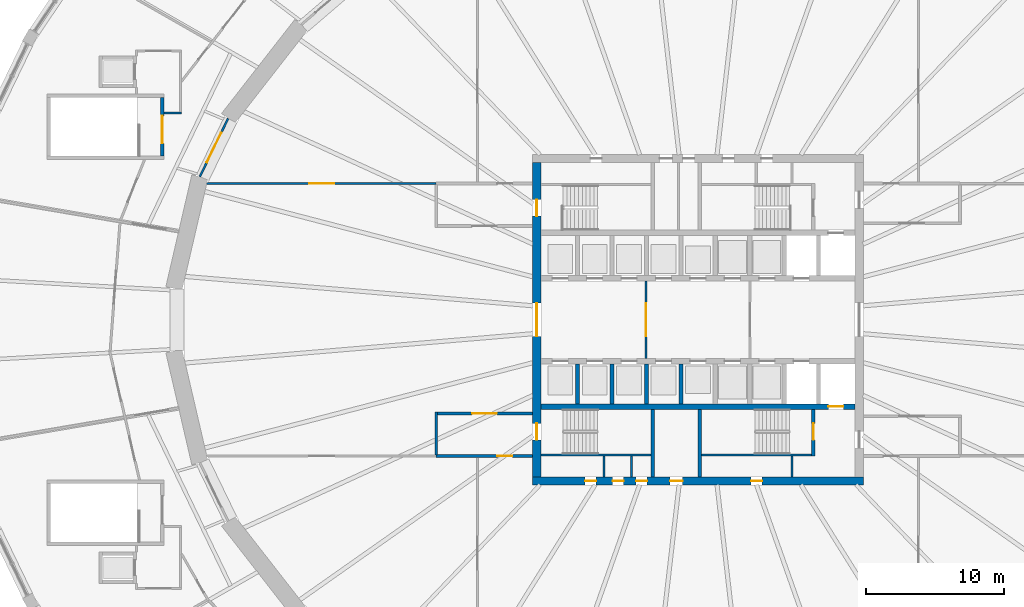
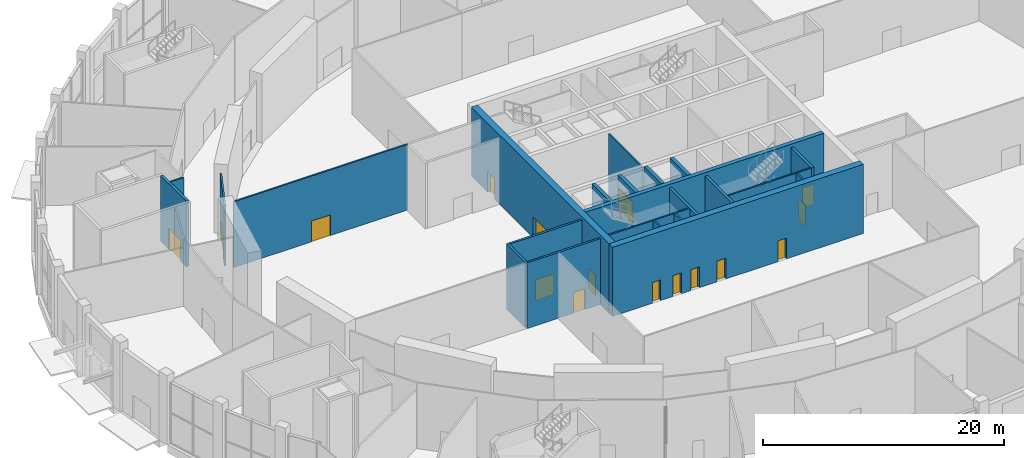
# One storey, part 21 of 33: 23 walls, 16 doors, 16 openings.
"""IFC4 building model written with IfcOpenShell, lengths in metres."""

from ifc_helpers import new_model, si_unit, direction, frame, frame_2d, origin, place, context, subcontext, project, spatial, polyline, rectangle, outline, extrude, material, layer, layer_set, type_object, element, fill, save


model = new_model("IFC4")

# Units and contexts
model_context = context("Model", 3, precision=1e-05, world=origin(), true_north=direction((0.0, 1.0)))
body_context = subcontext(model_context, "Body", "Model", "MODEL_VIEW")
ifc_project = project(units=[si_unit("LENGTHUNIT", "METRE"), si_unit("AREAUNIT", "SQUARE_METRE"), si_unit("VOLUMEUNIT", "CUBIC_METRE"), si_unit("PLANEANGLEUNIT", "RADIAN"), si_unit("MASSUNIT", "GRAM", prefix="KILO")], contexts=[model_context])

# Site, building, storey
site_placement = place(None, origin())
site = spatial("IfcSite", under=ifc_project, at=site_placement, CompositionType="ELEMENT")
building_placement = place(site_placement, origin())
building = spatial("IfcBuilding", under=site, at=building_placement, Name="Halqa Exchange Tower", CompositionType="ELEMENT")
storey_placement = place(building_placement, origin())
storey = spatial("IfcBuildingStorey", under=building, at=storey_placement, Name="L00", CompositionType="ELEMENT", Elevation=0.0)

# Wall
ifc_material_1 = material(Name="Fire-rated gypsum board")
ifc_layer_1 = layer(ifc_material_1, 0.14990234375)
ifc_layer_set_1 = layer_set([ifc_layer_1], Name="Fire-rated gypsum board")
wall_type_1 = type_object("IfcWallType", Name="Fire partition EI 60 150", PredefinedType="PARTITIONING", material=ifc_layer_set_1)
wall_1_placement = place(storey_placement, frame((-37.47509765625, 15.0, 0.0), z_axis=(0.0, 0.0, 1.0), x_axis=(-1.0, 0.0, 0.0)))
element("IfcWall", 1, at=wall_1_placement, inside=storey, type_object=wall_type_1, Name="L00-PWL-017", PredefinedType="PARTITIONING", context=body_context, shape_type="SweptSolid", body=[
    extrude(rectangle(XDim=1.27587890625, YDim=0.14990234375, at=frame_2d((0.637939453125, 0.0))), origin(), (0.0, 0.0, 1.0), 6.64990234375),
])

# Wall, opening, door
wall_2_placement = place(storey_placement, frame((-36.14990234375, 10.3798828125, 0.0), z_axis=(0.0, 0.0, 1.0), x_axis=(0.436936398764, 0.899492403212, 0.0)))
wall_2 = element("IfcWall", 2, at=wall_2_placement, inside=storey, type_object=wall_type_1, Name="L00-PWL-020", PredefinedType="PARTITIONING", context=body_context, shape_type="SweptSolid", body=[
    extrude(outline(polyline([(0.01708984375, -0.074951171875), (4.68212890625, -0.074951171875), (4.7138671875, 0.074951171875), (-0.01708984375, 0.074951171875), (0.01708984375, -0.074951171875)])), origin(), (0.0, 0.0, 1.0), 6.10009765625),
])
opening_1_placement = place(wall_2_placement, frame((1.145751953125, 0.0, 0.0)))
opening_1 = element("IfcOpeningElement", 3, at=opening_1_placement, cuts=wall_2, Name="Opening L00-26", PredefinedType="OPENING", context=body_context, shape_type="SweptSolid", body=[
    extrude(rectangle(XDim=2.39990234375, YDim=2.10009765625, at=frame_2d((1.199951171875, 1.050048828125))), frame((0.0, 0.0869140625, 0.0), z_axis=(0.0, -1.0, 0.0), x_axis=(1.0, 0.0, 0.0)), (0.0, 0.0, 1.0), 0.173828125),
])
ifc_material_2 = material(Name="Steel fire door leaf", Category="steel")
door_type_1 = type_object("IfcDoorType", Name="Fire door FD60S double 2400 x 2100", OperationType="DOUBLE_DOOR_SINGLE_SWING", PredefinedType="DOOR", material=ifc_material_2)
door_1_placement = place(opening_1_placement, frame((2.39990234375, 0.0, 0.0), z_axis=(0.0, 0.0, 1.0), x_axis=(-1.0, 0.0, 0.0)))
door_1 = element("IfcDoor", 4, at=door_1_placement, inside=storey, type_object=door_type_1, Name="L00-IDR-026", OperationType="DOUBLE_DOOR_SINGLE_SWING", OverallHeight=2.10009765625, OverallWidth=2.39990234375, PredefinedType="DOOR", context=body_context, shape_type="SweptSolid", body=[
    extrude(rectangle(XDim=2.39990234375, YDim=2.10009765625, at=frame_2d((1.199951171875, 1.050048828125))), frame((0.0, 0.02490234375, 0.0), z_axis=(0.0, -1.0, 0.0), x_axis=(1.0, 0.0, 0.0)), (0.0, 0.0, 1.0), 0.050048828125),
])
fill(opening_1, door_1)

wall_3_placement = place(storey_placement, frame((-35.64990234375, 9.8798828125, 0.0), z_axis=(0.0, 0.0, 1.0), x_axis=(1.0, 0.0, 0.0)))
wall_3 = element("IfcWall", 5, at=wall_3_placement, inside=storey, type_object=wall_type_1, Name="L00-PWL-021", PredefinedType="PARTITIONING", context=body_context, shape_type="SweptSolid", body=[
    extrude(outline(polyline([(-0.017333984375, -0.074951171875), (16.65087890625, -0.074951171875), (16.65087890625, 0.074951171875), (0.017333984375, 0.074951171875), (-0.017333984375, -0.074951171875)])), origin(), (0.0, 0.0, 1.0), 6.64990234375),
])
opening_2_placement = place(wall_3_placement, frame((7.445068359375, 0.0, 0.0)))
opening_2 = element("IfcOpeningElement", 6, at=opening_2_placement, cuts=wall_3, Name="Opening L00-07", PredefinedType="OPENING", context=body_context, shape_type="SweptSolid", body=[
    extrude(rectangle(XDim=1.800048828125, YDim=2.10009765625, at=frame_2d((0.89990234375, 1.050048828125))), frame((0.0, 0.0869140625, 0.0), z_axis=(0.0, -1.0, 0.0), x_axis=(1.0, 0.0, 0.0)), (0.0, 0.0, 1.0), 0.173828125),
])
door_type_2 = type_object("IfcDoorType", Name="Fire door FD30S double 1800 x 2100", OperationType="DOUBLE_DOOR_SINGLE_SWING", PredefinedType="DOOR", material=ifc_material_2)
door_2_placement = place(opening_2_placement, origin())
door_2 = element("IfcDoor", 7, at=door_2_placement, inside=storey, type_object=door_type_2, Name="L00-IDR-007", OperationType="DOUBLE_DOOR_SINGLE_SWING", OverallHeight=2.10009765625, OverallWidth=1.800048828125, PredefinedType="DOOR", context=body_context, shape_type="SweptSolid", body=[
    extrude(rectangle(XDim=1.800048828125, YDim=2.10009765625, at=frame_2d((0.89990234375, 1.050048828125))), frame((0.0, 0.02490234375, 0.0), z_axis=(0.0, -1.0, 0.0), x_axis=(1.0, 0.0, 0.0)), (0.0, 0.0, 1.0), 0.050048828125),
])
fill(opening_2, door_2)

# Wall
ifc_material_3 = material(Name="Concrete C30/37", Category="concrete")
ifc_layer_2 = layer(ifc_material_3, 0.199951171875)
ifc_layer_set_2 = layer_set([ifc_layer_2], Name="Concrete C30/37")
wall_type_2 = type_object("IfcWallType", Name="Fire wall EI 120 200", PredefinedType="PARTITIONING", material=ifc_layer_set_2)
wall_4_placement = place(storey_placement, frame((-19.0, -9.805419921875, 0.0), z_axis=(0.0, 0.0, 1.0), x_axis=(0.0, 1.0, 0.0)))
element("IfcWall", 8, at=wall_4_placement, inside=storey, type_object=wall_type_2, Name="L00-PWL-033", PredefinedType="PARTITIONING", context=body_context, shape_type="SweptSolid", body=[
    extrude(rectangle(XDim=3.10546875, YDim=0.199951171875, at=frame_2d((1.552734375, 0.0))), origin(), (0.0, 0.0, 1.0), 6.64990234375),
])

# Wall, opening, door
wall_5_placement = place(storey_placement, frame((-19.0, -9.8798828125, 0.0), z_axis=(0.0, 0.0, 1.0), x_axis=(1.0, 0.0, 0.0)))
wall_5 = element("IfcWall", 9, at=wall_5_placement, inside=storey, type_object=wall_type_2, Name="L00-PWL-034", PredefinedType="PARTITIONING", context=body_context, shape_type="SweptSolid", body=[
    extrude(rectangle(XDim=7.0009765625, YDim=0.199951171875, at=frame_2d((3.50048828125, 0.0))), origin(), (0.0, 0.0, 1.0), 6.64990234375),
])
opening_3_placement = place(wall_5_placement, frame((4.43505859375, 0.0, 0.0)))
opening_3 = element("IfcOpeningElement", 10, at=opening_3_placement, cuts=wall_5, Name="Opening L00-19", PredefinedType="OPENING", context=body_context, shape_type="SweptSolid", body=[
    extrude(rectangle(XDim=1.10009765625, YDim=2.10009765625, at=frame_2d((0.550048828125, 1.050048828125))), frame((0.0, 0.112060546875, 0.0), z_axis=(0.0, -1.0, 0.0), x_axis=(1.0, 0.0, 0.0)), (0.0, 0.0, 1.0), 0.223876953125),
])
door_type_3 = type_object("IfcDoorType", Name="Fire door FD120S 1100 x 2100", OperationType="SINGLE_SWING_LEFT", PredefinedType="DOOR", material=ifc_material_2)
door_3_placement = place(opening_3_placement, origin())
door_3 = element("IfcDoor", 11, at=door_3_placement, inside=storey, type_object=door_type_3, Name="L00-IDR-019", OperationType="SINGLE_SWING_LEFT", OverallHeight=2.10009765625, OverallWidth=1.10009765625, PredefinedType="DOOR", context=body_context, shape_type="SweptSolid", body=[
    extrude(rectangle(XDim=1.10009765625, YDim=2.10009765625, at=frame_2d((0.550048828125, 1.050048828125))), frame((0.0, 0.02490234375, 0.0), z_axis=(0.0, -1.0, 0.0), x_axis=(1.0, 0.0, 0.0)), (0.0, 0.0, 1.0), 0.050048828125),
])
fill(opening_3, door_3)

wall_6_placement = place(storey_placement, frame((-18.90087890625, -6.800048828125, 0.0), z_axis=(0.0, 0.0, 1.0), x_axis=(1.0, 0.0, 0.0)))
wall_6 = element("IfcWall", 12, at=wall_6_placement, inside=storey, type_object=wall_type_2, Name="L00-PWL-035", PredefinedType="PARTITIONING", context=body_context, shape_type="SweptSolid", body=[
    extrude(rectangle(XDim=6.90185546875, YDim=0.199951171875, at=frame_2d((3.450927734375, 0.0))), origin(), (0.0, 0.0, 1.0), 6.64990234375),
])
opening_4_placement = place(wall_6_placement, frame((2.5009765625, 0.0, 0.0)))
opening_4 = element("IfcOpeningElement", 13, at=opening_4_placement, cuts=wall_6, Name="Opening L00-02", PredefinedType="OPENING", context=body_context, shape_type="SweptSolid", body=[
    extrude(rectangle(XDim=1.800048828125, YDim=2.10009765625, at=frame_2d((0.89990234375, 1.050048828125))), frame((0.0, 0.112060546875, 0.0), z_axis=(0.0, -1.0, 0.0), x_axis=(1.0, 0.0, 0.0)), (0.0, 0.0, 1.0), 0.223876953125),
])
door_type_4 = type_object("IfcDoorType", Name="Fire door FD120S double 1800 x 2100", OperationType="DOUBLE_DOOR_SINGLE_SWING", PredefinedType="DOOR", material=ifc_material_2)
door_4_placement = place(opening_4_placement, frame((1.800048828125, 0.0, 0.0), z_axis=(0.0, 0.0, 1.0), x_axis=(-1.0, 0.0, 0.0)))
door_4 = element("IfcDoor", 14, at=door_4_placement, inside=storey, type_object=door_type_4, Name="L00-IDR-002", OperationType="DOUBLE_DOOR_SINGLE_SWING", OverallHeight=2.10009765625, OverallWidth=1.800048828125, PredefinedType="DOOR", context=body_context, shape_type="SweptSolid", body=[
    extrude(rectangle(XDim=1.800048828125, YDim=2.10009765625, at=frame_2d((0.89990234375, 1.050048828125))), frame((0.0, 0.02490234375, 0.0), z_axis=(0.0, -1.0, 0.0), x_axis=(1.0, 0.0, 0.0)), (0.0, 0.0, 1.0), 0.050048828125),
])
fill(opening_4, door_4)

# Walls
ifc_material_4 = material(Name="Gypsum board")
ifc_layer_3 = layer(ifc_material_4, 0.14990234375)
ifc_layer_set_3 = layer_set([ifc_layer_3], Name="Gypsum board")
wall_type_3 = type_object("IfcWallType", Name="Penthouse riser wall 150 gypsum", PredefinedType="PARTITIONING", material=ifc_layer_set_3)
for number, where, z_axis, x_axis, name in (
    (15, (-6.824951171875, -11.39990234375, 0.0), (0.0, 0.0, 1.0), (0.0, 1.0, 0.0), "Partition W6.825 S"),
    (16, (-4.824951171875, -11.39990234375, 0.0), (0.0, 0.0, 1.0), (0.0, 1.0, 0.0), "Partition W4.825 S"),
    (17, (6.824951171875, -11.39990234375, 0.0), (0.0, 0.0, 1.0), (0.0, 1.0, 0.0), "Firefighting lobby west wall S"),
):
    element("IfcWall", number, at=place(storey_placement, frame(where, z_axis=z_axis, x_axis=x_axis)), inside=storey, type_object=wall_type_3, Name=name, PredefinedType="PARTITIONING", context=body_context, shape_type="SweptSolid", body=[
        extrude(rectangle(XDim=1.5, YDim=0.14990234375, at=frame_2d((0.75, 0.0))), origin(), (0.0, 0.0, 1.0), 6.64990234375),
    ])

# Wall, opening, door
wall_7_placement = place(storey_placement, frame((-3.77490234375, -2.800048828125, 0.0), z_axis=(0.0, 0.0, 1.0), x_axis=(0.0, 1.0, 0.0)))
wall_7 = element("IfcWall", 18, at=wall_7_placement, inside=storey, type_object=wall_type_3, Name="Observation lobby partition west", PredefinedType="PARTITIONING", context=body_context, shape_type="SweptSolid", body=[
    extrude(rectangle(XDim=5.60009765625, YDim=0.14990234375, at=frame_2d((2.800048828125, 0.0))), origin(), (0.0, 0.0, 1.0), 6.64990234375),
])
opening_5_placement = place(wall_7_placement, frame((1.60009765625, 0.0, 0.0)))
opening_5 = element("IfcOpeningElement", 19, at=opening_5_placement, cuts=wall_7, Name="Opening L00-C25", PredefinedType="OPENING", context=body_context, shape_type="SweptSolid", body=[
    extrude(rectangle(XDim=2.39990234375, YDim=2.10009765625, at=frame_2d((1.199951171875, 1.050048828125))), frame((0.0, 0.0869140625, 0.0), z_axis=(0.0, -1.0, 0.0), x_axis=(1.0, 0.0, 0.0)), (0.0, 0.0, 1.0), 0.173828125),
])
door_type_5 = type_object("IfcDoorType", Name="Lobby double door FD60 2400 x 2100", OperationType="DOUBLE_DOOR_SINGLE_SWING", PredefinedType="DOOR", material=ifc_material_2)
door_5_placement = place(opening_5_placement, frame((2.39990234375, 0.0, 0.0), z_axis=(0.0, 0.0, 1.0), x_axis=(-1.0, 0.0, 0.0)))
door_5 = element("IfcDoor", 20, at=door_5_placement, inside=storey, type_object=door_type_5, Name="Lift lobby double door", OperationType="DOUBLE_DOOR_SINGLE_SWING", OverallHeight=2.10009765625, OverallWidth=2.39990234375, PredefinedType="DOOR", context=body_context, shape_type="SweptSolid", body=[
    extrude(rectangle(XDim=2.39990234375, YDim=2.10009765625, at=frame_2d((1.199951171875, 1.050048828125))), frame((0.0, 0.02490234375, 0.0), z_axis=(0.0, -1.0, 0.0), x_axis=(1.0, 0.0, 0.0)), (0.0, 0.0, 1.0), 0.050048828125),
])
fill(opening_5, door_5)

# Walls
ifc_material_5 = material(Name="Concrete C60/75", Category="concrete")
ifc_layer_4 = layer(ifc_material_5, 0.300048828125)
ifc_layer_set_4 = layer_set([ifc_layer_4], Name="Concrete C60/75")
wall_type_4 = type_object("IfcWallType", Name="RC core wall 300", PredefinedType="SHEAR", material=ifc_layer_set_4)
for number, where, z_axis, x_axis, name in (
    (21, (-8.75, -6.10009765625, 0.0), (0.0, 0.0, 1.0), (0.0, 1.0, 0.0), "Shaft divider S1"),
    (22, (-6.25, -6.10009765625, 0.0), (0.0, 0.0, 1.0), (0.0, 1.0, 0.0), "Shaft divider S2"),
    (23, (-3.75, -6.10009765625, 0.0), (0.0, 0.0, 1.0), (0.0, 1.0, 0.0), "Shaft divider S3"),
    (24, (-1.25, -6.10009765625, 0.0), (0.0, 0.0, 1.0), (0.0, 1.0, 0.0), "Shaft divider S4"),
):
    element("IfcWall", number, at=place(storey_placement, frame(where, z_axis=z_axis, x_axis=x_axis)), inside=storey, type_object=wall_type_4, Name=name, PredefinedType="SHEAR", context=body_context, shape_type="SweptSolid", body=[
        extrude(rectangle(XDim=2.900146484375, YDim=0.300048828125, at=frame_2d((1.4501953125, 0.0))), origin(), (0.0, 0.0, 1.0), 7.0),
    ])

# Wall, opening, door
ifc_material_6 = material(Name="Concrete C80/95", Category="concrete")
ifc_layer_5 = layer(ifc_material_6, 0.39990234375)
ifc_layer_set_5 = layer_set([ifc_layer_5], Name="Concrete C80/95")
wall_type_5 = type_object("IfcWallType", Name="RC core wall 400 C80/95", PredefinedType="SHEAR", material=ifc_layer_set_5)
wall_8_placement = place(storey_placement, frame((-11.39990234375, -6.300048828125, 0.0), z_axis=(0.0, 0.0, 1.0), x_axis=(1.0, 0.0, 0.0)))
wall_8 = element("IfcWall", 25, at=wall_8_placement, inside=storey, type_object=wall_type_5, Name="Lift row back wall S", PredefinedType="SHEAR", context=body_context, shape_type="SweptSolid", body=[
    extrude(rectangle(XDim=22.7998046875, YDim=0.39990234375, at=frame_2d((11.39990234375, 0.0))), origin(), (0.0, 0.0, 1.0), 7.0),
])
opening_6_placement = place(wall_8_placement, frame((20.85009765625, 0.0, 0.0)))
opening_6 = element("IfcOpeningElement", 26, at=opening_6_placement, cuts=wall_8, Name="Opening LD-FF2-L00", PredefinedType="OPENING", context=body_context, shape_type="SweptSolid", body=[
    extrude(rectangle(XDim=1.10009765625, YDim=2.10009765625, at=frame_2d((0.550048828125, 1.050048828125))), frame((0.0, 0.2119140625, 0.0), z_axis=(0.0, -1.0, 0.0), x_axis=(1.0, 0.0, 0.0)), (0.0, 0.0, 1.0), 0.423828125),
])
ifc_material_7 = material(Name="Stainless steel", Category="steel")
door_type_6 = type_object("IfcDoorType", Name="Lift landing door 1100 x 2100", OperationType="SLIDING_TO_LEFT", PredefinedType="DOOR", material=ifc_material_7)
door_6_placement = place(opening_6_placement, origin())
door_6 = element("IfcDoor", 27, at=door_6_placement, inside=storey, type_object=door_type_6, Name="Lift landing door FF2", OperationType="SLIDING_TO_LEFT", OverallHeight=2.10009765625, OverallWidth=1.10009765625, PredefinedType="DOOR", context=body_context, shape_type="SweptSolid", body=[
    extrude(rectangle(XDim=1.10009765625, YDim=2.10009765625, at=frame_2d((0.550048828125, 1.050048828125))), frame((0.0, 0.02490234375, 0.0), z_axis=(0.0, -1.0, 0.0), x_axis=(1.0, 0.0, 0.0)), (0.0, 0.0, 1.0), 0.050048828125),
])
fill(opening_6, door_6)

# Wall, openings, doors
ifc_layer_6 = layer(ifc_material_6, 0.60009765625)
ifc_layer_set_6 = layer_set([ifc_layer_6], Name="Concrete C80/95")
wall_type_6 = type_object("IfcWallType", Name="RC core wall 600 C80/95", PredefinedType="SHEAR", material=ifc_layer_set_6)
wall_9_placement = place(storey_placement, frame((-12.0, -11.699951171875, 0.0), z_axis=(0.0, 0.0, 1.0), x_axis=(1.0, 0.0, 0.0)))
wall_9 = element("IfcWall", 28, at=wall_9_placement, inside=storey, type_object=wall_type_6, Name="Core wall south", PredefinedType="SHEAR", context=body_context, shape_type="SweptSolid", body=[
    extrude(rectangle(XDim=24.0, YDim=0.60009765625, at=frame_2d((12.0, 0.0))), origin(), (0.0, 0.0, 1.0), 7.0),
])
opening_7_placement = place(wall_9_placement, frame((9.97509765625, 0.0, 0.0)))
opening_7 = element("IfcOpeningElement", 29, at=opening_7_placement, cuts=wall_9, Name="Opening L00-C46", PredefinedType="OPENING", context=body_context, shape_type="SweptSolid", body=[
    extrude(rectangle(XDim=0.89990234375, YDim=2.10009765625, at=frame_2d((0.449951171875, 1.050048828125))), frame((0.0, 0.31201171875, 0.0), z_axis=(0.0, -1.0, 0.0), x_axis=(1.0, 0.0, 0.0)), (0.0, 0.0, 1.0), 0.6240234375),
])
opening_8_placement = place(wall_9_placement, frame((3.800048828125, 0.0, 0.0)))
opening_8 = element("IfcOpeningElement", 30, at=opening_8_placement, cuts=wall_9, Name="Opening L00-C47", PredefinedType="OPENING", context=body_context, shape_type="SweptSolid", body=[
    extrude(rectangle(XDim=0.800048828125, YDim=2.10009765625, at=frame_2d((0.39990234375, 1.050048828125))), frame((0.0, 0.31201171875, 0.0), z_axis=(0.0, -1.0, 0.0), x_axis=(1.0, 0.0, 0.0)), (0.0, 0.0, 1.0), 0.6240234375),
])
opening_9_placement = place(wall_9_placement, frame((5.800048828125, 0.0, 0.0)))
opening_9 = element("IfcOpeningElement", 31, at=opening_9_placement, cuts=wall_9, Name="Opening L00-C48", PredefinedType="OPENING", context=body_context, shape_type="SweptSolid", body=[
    extrude(rectangle(XDim=0.800048828125, YDim=2.10009765625, at=frame_2d((0.39990234375, 1.050048828125))), frame((0.0, 0.31201171875, 0.0), z_axis=(0.0, -1.0, 0.0), x_axis=(1.0, 0.0, 0.0)), (0.0, 0.0, 1.0), 0.6240234375),
])
opening_10_placement = place(wall_9_placement, frame((7.5, 0.0, 0.0)))
opening_10 = element("IfcOpeningElement", 32, at=opening_10_placement, cuts=wall_9, Name="Opening L00-C49", PredefinedType="OPENING", context=body_context, shape_type="SweptSolid", body=[
    extrude(rectangle(XDim=0.800048828125, YDim=2.10009765625, at=frame_2d((0.39990234375, 1.050048828125))), frame((0.0, 0.31201171875, 0.0), z_axis=(0.0, -1.0, 0.0), x_axis=(1.0, 0.0, 0.0)), (0.0, 0.0, 1.0), 0.6240234375),
])
opening_11_placement = place(wall_9_placement, frame((15.85009765625, 0.0, 0.0)))
opening_11 = element("IfcOpeningElement", 33, at=opening_11_placement, cuts=wall_9, Name="Opening L00-C50", PredefinedType="OPENING", context=body_context, shape_type="SweptSolid", body=[
    extrude(rectangle(XDim=0.800048828125, YDim=2.10009765625, at=frame_2d((0.39990234375, 1.050048828125))), frame((0.0, 0.31201171875, 0.0), z_axis=(0.0, -1.0, 0.0), x_axis=(1.0, 0.0, 0.0)), (0.0, 0.0, 1.0), 0.6240234375),
])
ifc_material_8 = material(Name="Timber fire door leaf", Category="wood")
door_type_7 = type_object("IfcDoorType", Name="Core room door FD30 900 x 2100", OperationType="SINGLE_SWING_LEFT", PredefinedType="DOOR", material=ifc_material_8)
door_7_placement = place(opening_7_placement, origin())
door_7 = element("IfcDoor", 34, at=door_7_placement, inside=storey, type_object=door_type_7, Name="Core room door", OperationType="SINGLE_SWING_RIGHT", OverallHeight=2.10009765625, OverallWidth=0.89990234375, PredefinedType="DOOR", context=body_context, shape_type="SweptSolid", body=[
    extrude(rectangle(XDim=0.89990234375, YDim=2.10009765625, at=frame_2d((0.449951171875, 1.050048828125))), frame((0.0, 0.02490234375, 0.0), z_axis=(0.0, -1.0, 0.0), x_axis=(1.0, 0.0, 0.0)), (0.0, 0.0, 1.0), 0.050048828125),
])
fill(opening_7, door_7)
door_type_8 = type_object("IfcDoorType", Name="Riser door FD60 800 x 2100", OperationType="SINGLE_SWING_LEFT", PredefinedType="DOOR", material=ifc_material_2)
door_8_placement = place(opening_8_placement, origin())
door_8 = element("IfcDoor", 35, at=door_8_placement, inside=storey, type_object=door_type_8, Name="Core room door", OperationType="SINGLE_SWING_LEFT", OverallHeight=2.10009765625, OverallWidth=0.800048828125, PredefinedType="DOOR", context=body_context, shape_type="SweptSolid", body=[
    extrude(rectangle(XDim=0.800048828125, YDim=2.10009765625, at=frame_2d((0.39990234375, 1.050048828125))), frame((0.0, 0.02490234375, 0.0), z_axis=(0.0, -1.0, 0.0), x_axis=(1.0, 0.0, 0.0)), (0.0, 0.0, 1.0), 0.050048828125),
])
fill(opening_8, door_8)
door_9_placement = place(opening_9_placement, origin())
door_9 = element("IfcDoor", 36, at=door_9_placement, inside=storey, type_object=door_type_8, Name="Core room door", OperationType="SINGLE_SWING_LEFT", OverallHeight=2.10009765625, OverallWidth=0.800048828125, PredefinedType="DOOR", context=body_context, shape_type="SweptSolid", body=[
    extrude(rectangle(XDim=0.800048828125, YDim=2.10009765625, at=frame_2d((0.39990234375, 1.050048828125))), frame((0.0, 0.02490234375, 0.0), z_axis=(0.0, -1.0, 0.0), x_axis=(1.0, 0.0, 0.0)), (0.0, 0.0, 1.0), 0.050048828125),
])
fill(opening_9, door_9)
door_10_placement = place(opening_10_placement, origin())
door_10 = element("IfcDoor", 37, at=door_10_placement, inside=storey, type_object=door_type_8, Name="Core room door", OperationType="SINGLE_SWING_LEFT", OverallHeight=2.10009765625, OverallWidth=0.800048828125, PredefinedType="DOOR", context=body_context, shape_type="SweptSolid", body=[
    extrude(rectangle(XDim=0.800048828125, YDim=2.10009765625, at=frame_2d((0.39990234375, 1.050048828125))), frame((0.0, 0.02490234375, 0.0), z_axis=(0.0, -1.0, 0.0), x_axis=(1.0, 0.0, 0.0)), (0.0, 0.0, 1.0), 0.050048828125),
])
fill(opening_10, door_10)
door_11_placement = place(opening_11_placement, origin())
door_11 = element("IfcDoor", 38, at=door_11_placement, inside=storey, type_object=door_type_8, Name="Core room door", OperationType="SINGLE_SWING_LEFT", OverallHeight=2.10009765625, OverallWidth=0.800048828125, PredefinedType="DOOR", context=body_context, shape_type="SweptSolid", body=[
    extrude(rectangle(XDim=0.800048828125, YDim=2.10009765625, at=frame_2d((0.39990234375, 1.050048828125))), frame((0.0, 0.02490234375, 0.0), z_axis=(0.0, -1.0, 0.0), x_axis=(1.0, 0.0, 0.0)), (0.0, 0.0, 1.0), 0.050048828125),
])
fill(opening_11, door_11)

wall_10_placement = place(storey_placement, frame((-11.699951171875, -11.39990234375, 0.0), z_axis=(0.0, 0.0, 1.0), x_axis=(0.0, 1.0, 0.0)))
wall_10 = element("IfcWall", 39, at=wall_10_placement, inside=storey, type_object=wall_type_6, Name="Core wall west", PredefinedType="SHEAR", context=body_context, shape_type="SweptSolid", body=[
    extrude(rectangle(XDim=22.7998046875, YDim=0.60009765625, at=frame_2d((11.39990234375, 0.0))), origin(), (0.0, 0.0, 1.0), 7.0),
])
opening_12_placement = place(wall_10_placement, frame((10.199951171875, 0.0, 0.0)))
opening_12 = element("IfcOpeningElement", 40, at=opening_12_placement, cuts=wall_10, Name="Opening L00-C19", PredefinedType="OPENING", context=body_context, shape_type="SweptSolid", body=[
    extrude(rectangle(XDim=2.39990234375, YDim=2.10009765625, at=frame_2d((1.199951171875, 1.050048828125))), frame((0.0, 0.31201171875, 0.0), z_axis=(0.0, -1.0, 0.0), x_axis=(1.0, 0.0, 0.0)), (0.0, 0.0, 1.0), 0.6240234375),
])
opening_13_placement = place(wall_10_placement, frame((18.925048828125, 0.0, 0.0)))
opening_13 = element("IfcOpeningElement", 41, at=opening_13_placement, cuts=wall_10, Name="Opening L00-C35", PredefinedType="OPENING", context=body_context, shape_type="SweptSolid", body=[
    extrude(rectangle(XDim=1.199951171875, YDim=2.10009765625, at=frame_2d((0.60009765625, 1.050048828125))), frame((0.0, 0.31201171875, 0.0), z_axis=(0.0, -1.0, 0.0), x_axis=(1.0, 0.0, 0.0)), (0.0, 0.0, 1.0), 0.6240234375),
])
opening_14_placement = place(wall_10_placement, frame((2.675048828125, 0.0, 0.0)))
opening_14 = element("IfcOpeningElement", 42, at=opening_14_placement, cuts=wall_10, Name="Opening L00-C37", PredefinedType="OPENING", context=body_context, shape_type="SweptSolid", body=[
    extrude(rectangle(XDim=1.199951171875, YDim=2.10009765625, at=frame_2d((0.60009765625, 1.050048828125))), frame((0.0, 0.31201171875, 0.0), z_axis=(0.0, -1.0, 0.0), x_axis=(1.0, 0.0, 0.0)), (0.0, 0.0, 1.0), 0.6240234375),
])
door_12_placement = place(opening_12_placement, frame((2.39990234375, 0.0, 0.0), z_axis=(0.0, 0.0, 1.0), x_axis=(-1.0, 0.0, 0.0)))
door_12 = element("IfcDoor", 43, at=door_12_placement, inside=storey, type_object=door_type_5, Name="Lift lobby double door", OperationType="DOUBLE_DOOR_SINGLE_SWING", OverallHeight=2.10009765625, OverallWidth=2.39990234375, PredefinedType="DOOR", context=body_context, shape_type="SweptSolid", body=[
    extrude(rectangle(XDim=2.39990234375, YDim=2.10009765625, at=frame_2d((1.199951171875, 1.050048828125))), frame((0.0, 0.02490234375, 0.0), z_axis=(0.0, -1.0, 0.0), x_axis=(1.0, 0.0, 0.0)), (0.0, 0.0, 1.0), 0.050048828125),
])
fill(opening_12, door_12)
door_type_9 = type_object("IfcDoorType", Name="Stair door FD90 1200 x 2100", OperationType="SINGLE_SWING_LEFT", PredefinedType="DOOR", material=ifc_material_2)
door_13_placement = place(opening_13_placement, frame((1.199951171875, 0.0, 0.0), z_axis=(0.0, 0.0, 1.0), x_axis=(-1.0, 0.0, 0.0)))
door_13 = element("IfcDoor", 44, at=door_13_placement, inside=storey, type_object=door_type_9, Name="Stair door ST1", OperationType="SINGLE_SWING_RIGHT", OverallHeight=2.10009765625, OverallWidth=1.199951171875, PredefinedType="DOOR", context=body_context, shape_type="SweptSolid", body=[
    extrude(rectangle(XDim=1.199951171875, YDim=2.10009765625, at=frame_2d((0.60009765625, 1.050048828125))), frame((0.0, 0.02490234375, 0.0), z_axis=(0.0, -1.0, 0.0), x_axis=(1.0, 0.0, 0.0)), (0.0, 0.0, 1.0), 0.050048828125),
])
fill(opening_13, door_13)
door_14_placement = place(opening_14_placement, frame((1.199951171875, 0.0, 0.0), z_axis=(0.0, 0.0, 1.0), x_axis=(-1.0, 0.0, 0.0)))
door_14 = element("IfcDoor", 45, at=door_14_placement, inside=storey, type_object=door_type_9, Name="Stair door ST3", OperationType="SINGLE_SWING_RIGHT", OverallHeight=2.10009765625, OverallWidth=1.199951171875, PredefinedType="DOOR", context=body_context, shape_type="SweptSolid", body=[
    extrude(rectangle(XDim=1.199951171875, YDim=2.10009765625, at=frame_2d((0.60009765625, 1.050048828125))), frame((0.0, 0.02490234375, 0.0), z_axis=(0.0, -1.0, 0.0), x_axis=(1.0, 0.0, 0.0)), (0.0, 0.0, 1.0), 0.050048828125),
])
fill(opening_14, door_14)

# Walls
ifc_layer_7 = layer(ifc_material_3, 0.14990234375)
ifc_layer_set_7 = layer_set([ifc_layer_7], Name="Concrete C30/37")
wall_type_7 = type_object("IfcWallType", Name="RC stair wall 150 C30/37", PredefinedType="SHEAR", material=ifc_layer_set_7)
for number, where, z_axis, x_axis, name in (
    (46, (-11.39990234375, -9.824951171875, 0.0), (0.0, 0.0, 1.0), (1.0, 0.0, 0.0), "Stair ST1 north wall S"),
    (47, (0.25, -9.824951171875, 0.0), (0.0, 0.0, 1.0), (1.0, 0.0, 0.0), "Stair ST2 north wall S"),
):
    element("IfcWall", number, at=place(storey_placement, frame(where, z_axis=z_axis, x_axis=x_axis)), inside=storey, type_object=wall_type_7, Name=name, PredefinedType="SHEAR", context=body_context, shape_type="SweptSolid", body=[
        extrude(rectangle(XDim=8.0, YDim=0.14990234375, at=frame_2d((4.0, 0.0))), origin(), (0.0, 0.0, 1.0), 6.64990234375),
    ])
ifc_layer_8 = layer(ifc_material_3, 0.25)
ifc_layer_set_8 = layer_set([ifc_layer_8], Name="Concrete C30/37")
wall_type_8 = type_object("IfcWallType", Name="RC stair wall 250 C30/37", PredefinedType="SHEAR", material=ifc_layer_set_8)
for number, where, z_axis, x_axis, name in (
    (48, (-3.27490234375, -11.39990234375, 0.0), (0.0, 0.0, 1.0), (0.0, 1.0, 0.0), "Stair ST1 east wall S"),
    (49, (0.125, -11.39990234375, 0.0), (0.0, 0.0, 1.0), (0.0, 1.0, 0.0), "Stair ST2 west wall S"),
):
    element("IfcWall", number, at=place(storey_placement, frame(where, z_axis=z_axis, x_axis=x_axis)), inside=storey, type_object=wall_type_8, Name=name, PredefinedType="SHEAR", context=body_context, shape_type="SweptSolid", body=[
        extrude(rectangle(XDim=4.89990234375, YDim=0.25, at=frame_2d((2.449951171875, 0.0))), origin(), (0.0, 0.0, 1.0), 6.64990234375),
    ])

# Wall, opening, door
wall_11_placement = place(storey_placement, frame((8.375, -9.89990234375, 0.0), z_axis=(0.0, 0.0, 1.0), x_axis=(0.0, 1.0, 0.0)))
wall_11 = element("IfcWall", 50, at=wall_11_placement, inside=storey, type_object=wall_type_8, Name="Stair ST2 east wall S", PredefinedType="SHEAR", context=body_context, shape_type="SweptSolid", body=[
    extrude(rectangle(XDim=3.39990234375, YDim=0.25, at=frame_2d((1.699951171875, 0.0))), origin(), (0.0, 0.0, 1.0), 6.64990234375),
])
opening_15_placement = place(wall_11_placement, frame((1.175048828125, 0.0, 0.0)))
opening_15 = element("IfcOpeningElement", 51, at=opening_15_placement, cuts=wall_11, Name="Opening L00-C38", PredefinedType="OPENING", context=body_context, shape_type="SweptSolid", body=[
    extrude(rectangle(XDim=1.199951171875, YDim=2.10009765625, at=frame_2d((0.60009765625, 1.050048828125))), frame((0.0, 0.136962890625, 0.0), z_axis=(0.0, -1.0, 0.0), x_axis=(1.0, 0.0, 0.0)), (0.0, 0.0, 1.0), 0.27392578125),
])
door_15_placement = place(opening_15_placement, origin())
door_15 = element("IfcDoor", 52, at=door_15_placement, inside=storey, type_object=door_type_9, Name="Stair door ST4", OperationType="SINGLE_SWING_RIGHT", OverallHeight=2.10009765625, OverallWidth=1.199951171875, PredefinedType="DOOR", context=body_context, shape_type="SweptSolid", body=[
    extrude(rectangle(XDim=1.199951171875, YDim=2.10009765625, at=frame_2d((0.60009765625, 1.050048828125))), frame((0.0, 0.02490234375, 0.0), z_axis=(0.0, -1.0, 0.0), x_axis=(1.0, 0.0, 0.0)), (0.0, 0.0, 1.0), 0.050048828125),
])
fill(opening_15, door_15)

wall_12_placement = place(storey_placement, frame((-38.875, 11.875, 0.0), z_axis=(0.0, 0.0, 1.0), x_axis=(0.0, 1.0, 0.0)))
wall_12 = element("IfcWall", 53, at=wall_12_placement, inside=storey, type_object=wall_type_8, Name="Stair SS3 wall east", PredefinedType="SHEAR", context=body_context, shape_type="SweptSolid", body=[
    extrude(rectangle(XDim=4.25, YDim=0.25, at=frame_2d((2.125, 0.0))), origin(), (0.0, 0.0, 1.0), 6.64990234375),
])
opening_16_placement = place(wall_12_placement, frame((0.925048828125, 0.0, 0.0)))
opening_16 = element("IfcOpeningElement", 54, at=opening_16_placement, cuts=wall_12, Name="Opening L00-C29", PredefinedType="OPENING", context=body_context, shape_type="SweptSolid", body=[
    extrude(rectangle(XDim=2.0, YDim=2.10009765625, at=frame_2d((1.0, 1.050048828125))), frame((0.0, 0.136962890625, 0.0), z_axis=(0.0, -1.0, 0.0), x_axis=(1.0, 0.0, 0.0)), (0.0, 0.0, 1.0), 0.27392578125),
])
door_type_10 = type_object("IfcDoorType", Name="Station stair double door FD90 2000 x 2100", OperationType="DOUBLE_DOOR_SINGLE_SWING", PredefinedType="DOOR", material=ifc_material_2)
door_16_placement = place(opening_16_placement, frame((2.0, 0.0, 0.0), z_axis=(0.0, 0.0, 1.0), x_axis=(-1.0, 0.0, 0.0)))
door_16 = element("IfcDoor", 55, at=door_16_placement, inside=storey, type_object=door_type_10, Name="Core room door", OperationType="DOUBLE_DOOR_SINGLE_SWING", OverallHeight=2.10009765625, OverallWidth=2.0, PredefinedType="DOOR", context=body_context, shape_type="SweptSolid", body=[
    extrude(rectangle(XDim=2.0, YDim=2.10009765625, at=frame_2d((1.0, 1.050048828125))), frame((0.0, 0.02490234375, 0.0), z_axis=(0.0, -1.0, 0.0), x_axis=(1.0, 0.0, 0.0)), (0.0, 0.0, 1.0), 0.050048828125),
])
fill(opening_16, door_16)

save(model, "model.ifc")
